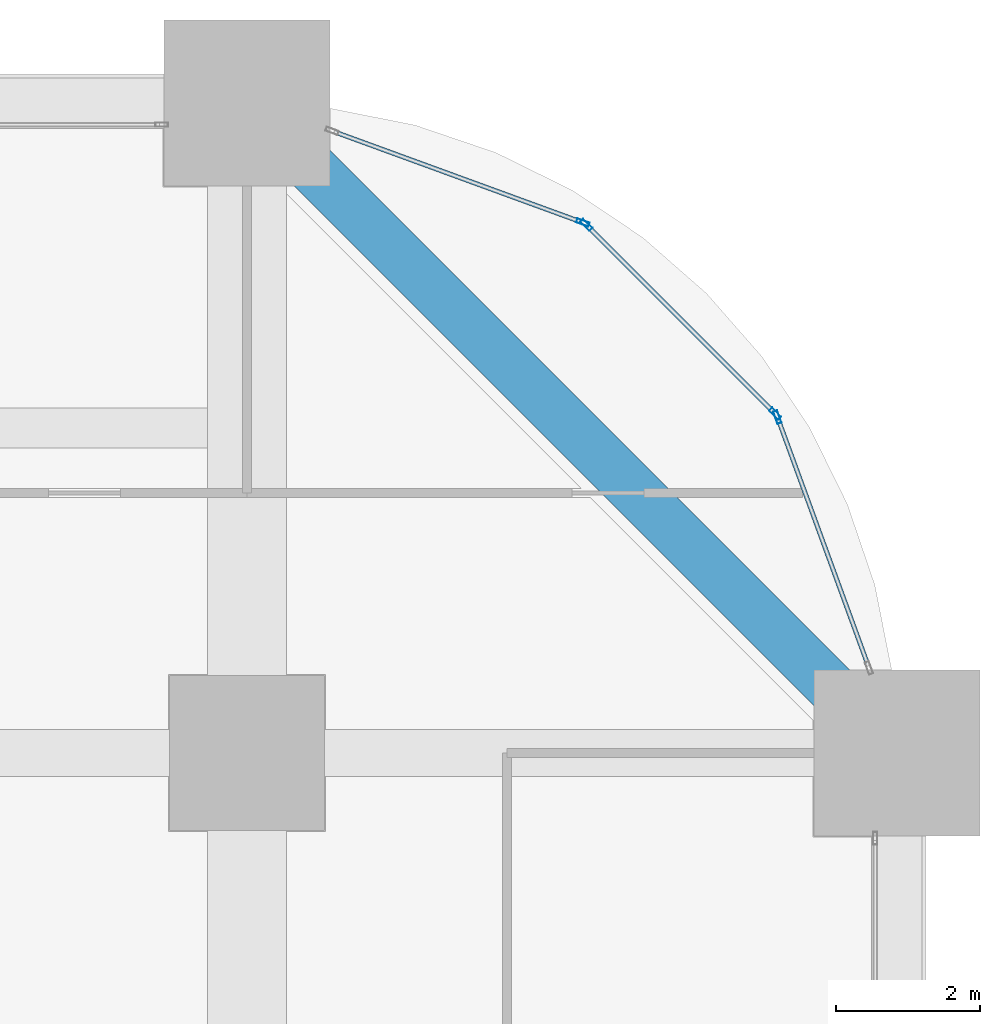
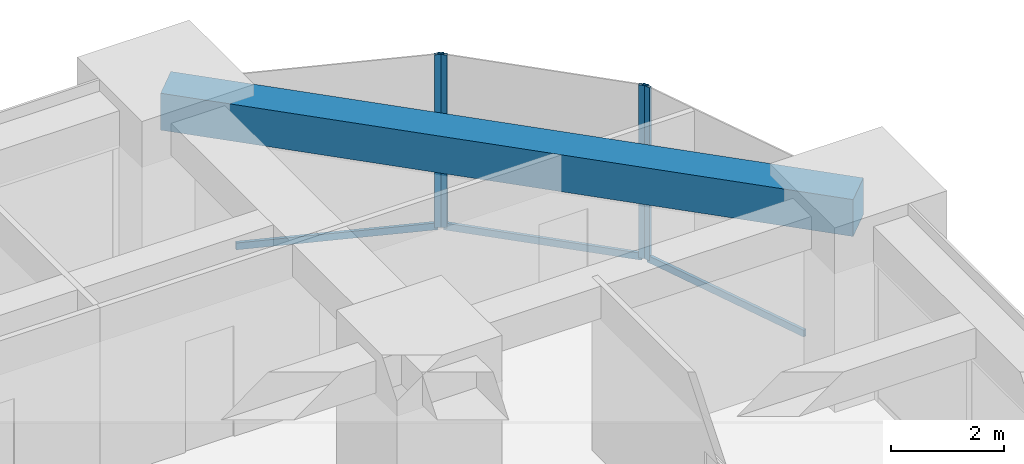
# One storey, part 37 of 44: 7 members, 1 beam, 3 elements without a shape of their own.
"""IFC4 building model written with IfcOpenShell, lengths in metres."""

from ifc_helpers import new_model, si_unit, direction, frame, origin, origin_2d, place, context, subcontext, project, spatial, rectangle, hollow_rectangle, extrude, material, material_profile, profile_set, type_object, element, aggregate, save


model = new_model("IFC4")

# Units and contexts
model_context = context("Model", 3, precision=1e-05, world=origin(), true_north=direction((0.0, 1.0)))
body_context = subcontext(model_context, "Body", "Model", "MODEL_VIEW")
ifc_project = project(units=[si_unit("LENGTHUNIT", "METRE"), si_unit("AREAUNIT", "SQUARE_METRE"), si_unit("VOLUMEUNIT", "CUBIC_METRE"), si_unit("PLANEANGLEUNIT", "RADIAN"), si_unit("MASSUNIT", "GRAM", prefix="KILO")], contexts=[model_context])

# Site, building, storey
site_placement = place(None, origin())
site = spatial("IfcSite", under=ifc_project, at=site_placement, CompositionType="ELEMENT")
building_placement = place(site_placement, origin())
building = spatial("IfcBuilding", under=site, at=building_placement, Name="Zorevar Civic Tower", CompositionType="ELEMENT")
storey_placement = place(building_placement, frame((0.0, 0.0, 51.800048828125)))
storey = spatial("IfcBuildingStorey", under=building, at=storey_placement, Name="L12", CompositionType="ELEMENT", Elevation=51.800048828125)

# Curtain wall, member
ifc_material_1 = material(Name="Dark grey solar-control glass in black aluminium frame", Category="aluminium")
curtain_wall_type = type_object("IfcCurtainWallType", Name="Curtain wall CW2 low zone", PredefinedType="NOTDEFINED", material=ifc_material_1)
curtain_wall_1_placement = place(storey_placement, origin())
curtain_wall_1 = element("IfcCurtainWall", 1, at=curtain_wall_1_placement, inside=storey, type_object=curtain_wall_type, Name="CW2 L12", PredefinedType="NOTDEFINED")
ifc_material_2 = material(Name="Aluminium, black anodised", Category="aluminium")
ifc_material_profile_1 = material_profile(ifc_material_2, hollow_rectangle(XDim=0.06005859375, YDim=0.179931640625, WallThickness=0.00390625, at=origin_2d()), Name="AL 180x60x4")
ifc_profile_set_1 = profile_set([ifc_material_profile_1], Name="Aluminium, black anodised")
member_type_1 = type_object("IfcMemberType", Name="CW2 mullion AL 180x60x4", PredefinedType="MULLION", material=ifc_profile_set_1)
member_1_placement = place(storey_placement, frame((61.34521484375, 49.650390625, 0.0), z_axis=(0.0, 0.0, 1.0), x_axis=(-0.939313345732, -0.343060400701, 0.0)))
member_1 = element("IfcMember", 2, at=member_1_placement, type_object=member_type_1, Name="CW2 mullion 2", PredefinedType="MULLION", context=body_context, shape_type="SweptSolid", body=[
    extrude(hollow_rectangle(XDim=0.06005859375, YDim=0.179931640625, WallThickness=0.00390625, at=origin_2d()), origin(), (0.0, 0.0, 1.0), 3.75),
])

# Curtain wall, members
curtain_wall_2_placement = place(storey_placement, origin())
curtain_wall_2 = element("IfcCurtainWall", 3, at=curtain_wall_2_placement, inside=storey, type_object=curtain_wall_type, Name="CW2 L12", PredefinedType="NOTDEFINED")
member_2_placement = place(storey_placement, frame((61.313720703125, 49.69970703125, 0.0), z_axis=(0.0, 0.0, 1.0), x_axis=(-0.707106781187, -0.707106781187, 0.0)))
member_2 = element("IfcMember", 4, at=member_2_placement, type_object=member_type_1, Name="CW2 mullion 1", PredefinedType="MULLION", context=body_context, shape_type="SweptSolid", body=[
    extrude(hollow_rectangle(XDim=0.06005859375, YDim=0.179931640625, WallThickness=0.00390625, at=origin_2d()), origin(), (0.0, 0.0, 1.0), 3.75),
])
member_3_placement = place(storey_placement, frame((58.69970703125, 52.313720703125, 0.0), z_axis=(0.0, 0.0, 1.0), x_axis=(-0.707106781187, -0.707106781187, 0.0)))
member_3 = element("IfcMember", 5, at=member_3_placement, type_object=member_type_1, Name="CW2 mullion 2", PredefinedType="MULLION", context=body_context, shape_type="SweptSolid", body=[
    extrude(hollow_rectangle(XDim=0.06005859375, YDim=0.179931640625, WallThickness=0.00390625, at=origin_2d()), origin(), (0.0, 0.0, 1.0), 3.75),
])

# Curtain wall, member
curtain_wall_3_placement = place(storey_placement, origin())
curtain_wall_3 = element("IfcCurtainWall", 6, at=curtain_wall_3_placement, inside=storey, type_object=curtain_wall_type, Name="CW2 L12", PredefinedType="NOTDEFINED")
member_4_placement = place(storey_placement, frame((58.650390625, 52.34521484375, 0.0), z_axis=(0.0, 0.0, 1.0), x_axis=(-0.343060400701, -0.939313345732, 0.0)))
member_4 = element("IfcMember", 7, at=member_4_placement, type_object=member_type_1, Name="CW2 mullion 1", PredefinedType="MULLION", context=body_context, shape_type="SweptSolid", body=[
    extrude(hollow_rectangle(XDim=0.06005859375, YDim=0.179931640625, WallThickness=0.00390625, at=origin_2d()), origin(), (0.0, 0.0, 1.0), 3.75),
])

# Member
ifc_material_3 = material(Name="Aluminium, black anodised", Category="aluminium")
ifc_material_profile_2 = material_profile(ifc_material_3, hollow_rectangle(XDim=0.06005859375, YDim=0.14990234375, WallThickness=0.00390625, at=origin_2d()), Name="AL 150x60x4")
ifc_profile_set_2 = profile_set([ifc_material_profile_2], Name="Aluminium, black anodised")
member_type_2 = type_object("IfcMemberType", Name="CW2 transom AL 150x60x4", PredefinedType="USERDEFINED", material=ifc_profile_set_2)
member_5_placement = place(storey_placement, frame((62.60302734375, 46.206298828125, 0.030029296875), z_axis=(-0.343047162808, 0.939318180432, 0.0), x_axis=(-0.939318180432, -0.343047162808, 0.0)))
member_5 = element("IfcMember", 8, at=member_5_placement, type_object=member_type_2, Name="CW2 sill transom", ObjectType="TRANSOM", PredefinedType="USERDEFINED", context=body_context, shape_type="SweptSolid", body=[
    extrude(hollow_rectangle(XDim=0.06005859375, YDim=0.14990234375, WallThickness=0.00390625, at=origin_2d()), origin(), (0.0, 0.0, 1.0), 3.63671875),
])

aggregate(curtain_wall_1, [member_1, member_5])

member_6_placement = place(storey_placement, frame((61.29248046875, 49.720947265625, 0.030029296875), z_axis=(-0.707106781187, 0.707106781187, 0.0), x_axis=(-0.707106781187, -0.707106781187, 0.0)))
member_6 = element("IfcMember", 9, at=member_6_placement, type_object=member_type_2, Name="CW2 sill transom", ObjectType="TRANSOM", PredefinedType="USERDEFINED", context=body_context, shape_type="SweptSolid", body=[
    extrude(hollow_rectangle(XDim=0.06005859375, YDim=0.14990234375, WallThickness=0.00390625, at=origin_2d()), origin(), (0.0, 0.0, 1.0), 3.63671875),
])

aggregate(curtain_wall_2, [member_2, member_3, member_6])

member_7_placement = place(storey_placement, frame((58.622314453125, 52.35546875, 0.030029296875), z_axis=(-0.939318180432, 0.343047162808, 0.0), x_axis=(-0.343047162808, -0.939318180432, 0.0)))
member_7 = element("IfcMember", 10, at=member_7_placement, type_object=member_type_2, Name="CW2 sill transom", ObjectType="TRANSOM", PredefinedType="USERDEFINED", context=body_context, shape_type="SweptSolid", body=[
    extrude(hollow_rectangle(XDim=0.06005859375, YDim=0.14990234375, WallThickness=0.00390625, at=origin_2d()), origin(), (0.0, 0.0, 1.0), 3.63671875),
])

aggregate(curtain_wall_3, [member_4, member_7])

# Beam
ifc_material_4 = material(Name="Concrete C50/60", Category="concrete")
ifc_material_profile_3 = material_profile(ifc_material_4, rectangle(XDim=0.699951171875, YDim=0.800048828125, at=origin_2d()), Name="RC 700x800")
ifc_profile_set_3 = profile_set([ifc_material_profile_3], Name="Concrete C50/60")
beam_type = type_object("IfcBeamType", Name="Edge beam RC 700x800", PredefinedType="SPANDREL", material=ifc_profile_set_3)
beam_placement = place(storey_placement, frame((63.0, 45.0, 3.349853515625), z_axis=(-0.707106781187, 0.707106781187, 0.0), x_axis=(-0.707106781187, -0.707106781187, 0.0)))
element("IfcBeam", 11, at=beam_placement, inside=storey, type_object=beam_type, Name="Corner edge beam L13", PredefinedType="SPANDREL", context=body_context, shape_type="SweptSolid", body=[
    extrude(rectangle(XDim=0.699951171875, YDim=0.800048828125, at=origin_2d()), origin(), (0.0, 0.0, 1.0), 12.72802734375),
])

save(model, "model.ifc")
